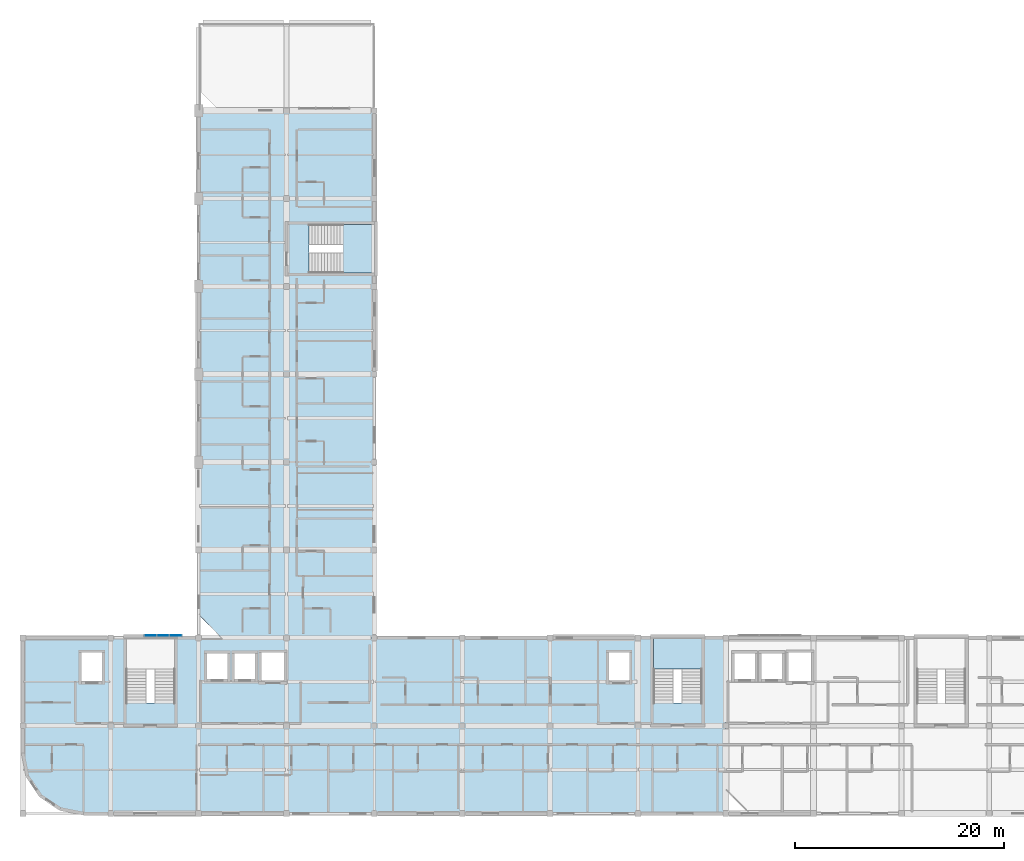
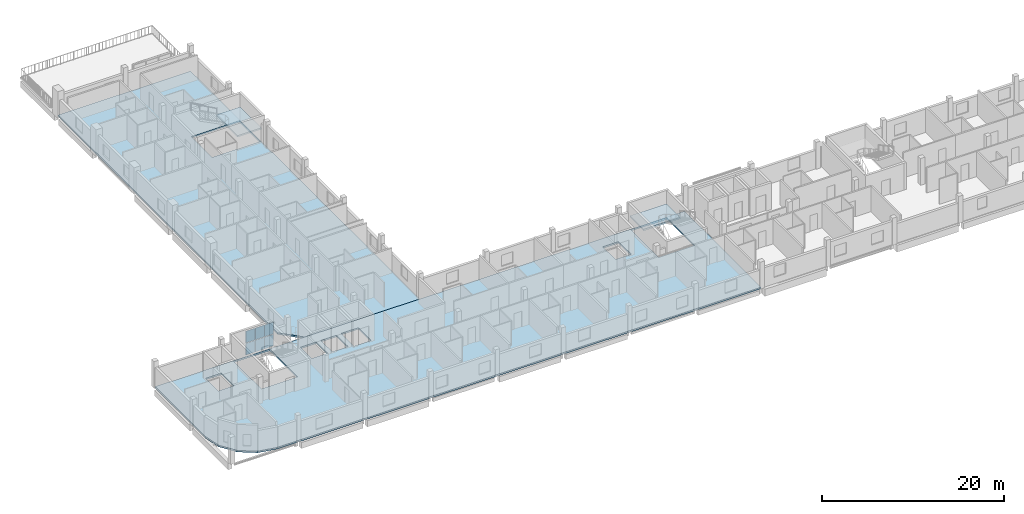
# One storey, part 9 of 26: 6 plates, 4 slabs, 3 elements without a shape of their own.
"""IFC4 building model written with IfcOpenShell, lengths in metres."""

from ifc_helpers import new_model, si_unit, derived_unit, direction, frame, origin, origin_2d, place, context, subcontext, project, spatial, polyline, rectangle, outline, extrude, material, layer, layer_set, type_object, element, aggregate, save


model = new_model("IFC4")

# Units and contexts
model_context = context("Model", 3, precision=1e-05, world=origin(), true_north=direction((0.0, 1.0)))
body_context = subcontext(model_context, "Body", "Model", "MODEL_VIEW")
ifc_project = project(units=[si_unit("LENGTHUNIT", "METRE"), si_unit("AREAUNIT", "SQUARE_METRE"), si_unit("VOLUMEUNIT", "CUBIC_METRE"), si_unit("PLANEANGLEUNIT", "RADIAN"), si_unit("MASSUNIT", "GRAM", prefix="KILO"), derived_unit("THERMALTRANSMITTANCEUNIT", [(si_unit("POWERUNIT", "WATT"), 1), (si_unit("LENGTHUNIT", "METRE"), -2), (si_unit("THERMODYNAMICTEMPERATUREUNIT", "KELVIN"), -1)])], contexts=[model_context])

# Site, building, storey
site_placement = place(None, origin())
site = spatial("IfcSite", under=ifc_project, at=site_placement, CompositionType="ELEMENT")
building_placement = place(site_placement, origin())
building = spatial("IfcBuilding", under=site, at=building_placement, Name="Barrovel Congress Hotel", CompositionType="ELEMENT")
storey_placement = place(building_placement, frame((0.0, 0.0, 32.699951171875)))
storey = spatial("IfcBuildingStorey", under=building, at=storey_placement, Name="L08", CompositionType="ELEMENT", Elevation=32.699951171875)

# Curtain wall, plates
ifc_material_1 = material(Name="Anodised Aluminium Alloy 6063-T6", Category="aluminium")
curtain_wall_type = type_object("IfcCurtainWallType", Name="CW-UN-3600x3200", PredefinedType="USERDEFINED", material=ifc_material_1)
curtain_wall_placement = place(storey_placement, origin())
curtain_wall = element("IfcCurtainWall", 1, at=curtain_wall_placement, inside=storey, type_object=curtain_wall_type, Name="CW:L08:UN-3", ObjectType="UNITISED CURTAIN WALL", PredefinedType="USERDEFINED")
ifc_material_2 = material(Name="Double Low-E Insulated Glazing", Category="glass")
ifc_layer_1 = layer(ifc_material_2, 0.031982421875)
ifc_layer_set_1 = layer_set([ifc_layer_1], Name="Double Low-E Insulated Glazing")
plate_type = type_object("IfcPlateType", Name="CWP-32", PredefinedType="CURTAIN_PANEL", material=ifc_layer_set_1)
plate_1_placement = place(storey_placement, frame((29.0, 21.219970703125, 0.030029296875), z_axis=(0.0, 0.0, 1.0), x_axis=(1.0, 0.0, 0.0)))
plate_1 = element("IfcPlate", 2, at=plate_1_placement, type_object=plate_type, Name="CW:L08:UN-3:P0-0", PredefinedType="CURTAIN_PANEL", context=body_context, shape_type="SweptSolid", body=[
    extrude(rectangle(XDim=1.139892578125, YDim=0.031982421875, at=origin_2d()), origin(), (0.0, 0.0, 1.0), 1.56494140625),
])
plate_2_placement = place(storey_placement, frame((29.0, 21.219970703125, 1.655029296875), z_axis=(0.0, 0.0, 1.0), x_axis=(1.0, 0.0, 0.0)))
plate_2 = element("IfcPlate", 3, at=plate_2_placement, type_object=plate_type, Name="CW:L08:UN-3:P0-1", PredefinedType="CURTAIN_PANEL", context=body_context, shape_type="SweptSolid", body=[
    extrude(rectangle(XDim=1.139892578125, YDim=0.031982421875, at=origin_2d()), origin(), (0.0, 0.0, 1.0), 1.56494140625),
])
plate_3_placement = place(storey_placement, frame((30.199951171875, 21.219970703125, 0.030029296875), z_axis=(0.0, 0.0, 1.0), x_axis=(1.0, 0.0, 0.0)))
plate_3 = element("IfcPlate", 4, at=plate_3_placement, type_object=plate_type, Name="CW:L08:UN-3:P1-0", PredefinedType="CURTAIN_PANEL", context=body_context, shape_type="SweptSolid", body=[
    extrude(rectangle(XDim=1.139892578125, YDim=0.031982421875, at=origin_2d()), origin(), (0.0, 0.0, 1.0), 1.56494140625),
])
plate_4_placement = place(storey_placement, frame((30.199951171875, 21.219970703125, 1.655029296875), z_axis=(0.0, 0.0, 1.0), x_axis=(1.0, 0.0, 0.0)))
plate_4 = element("IfcPlate", 5, at=plate_4_placement, type_object=plate_type, Name="CW:L08:UN-3:P1-1", PredefinedType="CURTAIN_PANEL", context=body_context, shape_type="SweptSolid", body=[
    extrude(rectangle(XDim=1.139892578125, YDim=0.031982421875, at=origin_2d()), origin(), (0.0, 0.0, 1.0), 1.56494140625),
])
plate_5_placement = place(storey_placement, frame((31.39990234375, 21.219970703125, 0.030029296875), z_axis=(0.0, 0.0, 1.0), x_axis=(1.0, 0.0, 0.0)))
plate_5 = element("IfcPlate", 6, at=plate_5_placement, type_object=plate_type, Name="CW:L08:UN-3:P2-0", PredefinedType="CURTAIN_PANEL", context=body_context, shape_type="SweptSolid", body=[
    extrude(rectangle(XDim=1.139892578125, YDim=0.031982421875, at=origin_2d()), origin(), (0.0, 0.0, 1.0), 1.56494140625),
])
plate_6_placement = place(storey_placement, frame((31.39990234375, 21.219970703125, 1.655029296875), z_axis=(0.0, 0.0, 1.0), x_axis=(1.0, 0.0, 0.0)))
plate_6 = element("IfcPlate", 7, at=plate_6_placement, type_object=plate_type, Name="CW:L08:UN-3:P2-1", PredefinedType="CURTAIN_PANEL", context=body_context, shape_type="SweptSolid", body=[
    extrude(rectangle(XDim=1.139892578125, YDim=0.031982421875, at=origin_2d()), origin(), (0.0, 0.0, 1.0), 1.56494140625),
])
aggregate(curtain_wall, [plate_1, plate_2, plate_3, plate_4, plate_5, plate_6])

# Slabs
ifc_material_3 = material(Name="Concrete C35", Category="concrete")
ifc_layer_2 = layer(ifc_material_3, 0.219970703125)
ifc_layer_set_2 = layer_set([ifc_layer_2], Name="Concrete C35")
slab_type_1 = type_object("IfcSlabType", Name="SL-F220", PredefinedType="FLOOR", material=ifc_layer_set_2)
slab_1_placement = place(storey_placement, frame((0.0, 0.0, -0.219970703125)))
element("IfcSlab", 8, at=slab_1_placement, inside=storey, type_object=slab_type_1, Name="SLAB:L08:HOT-S1", PredefinedType="FLOOR", context=body_context, shape_type="SweptSolid", body=[
    extrude(outline(polyline([(16.800048828125, 10.0), (17.241455078125, 7.780517578125), (18.498779296875, 5.898681640625), (20.38037109375, 4.6416015625), (22.60009765625, 4.199951171875), (84.0, 4.199951171875), (84.0, 21.0), (16.800048828125, 21.0), (16.800048828125, 10.0)]), holes=[polyline([(26.699951171875, 14.780029296875), (26.699951171875, 20.919921875), (31.300048828125, 20.919921875), (31.300048828125, 14.780029296875), (26.699951171875, 14.780029296875)]), polyline([(77.10009765625, 14.780029296875), (77.10009765625, 20.919921875), (81.699951171875, 20.919921875), (81.699951171875, 14.780029296875), (77.10009765625, 14.780029296875)]), polyline([(22.39990234375, 16.800048828125), (22.39990234375, 19.60009765625), (24.39990234375, 19.60009765625), (24.39990234375, 16.800048828125), (22.39990234375, 16.800048828125)]), polyline([(72.800048828125, 16.800048828125), (72.800048828125, 19.60009765625), (74.800048828125, 19.60009765625), (74.800048828125, 16.800048828125), (72.800048828125, 16.800048828125)]), polyline([(34.39990234375, 17.050048828125), (34.39990234375, 19.550048828125), (36.39990234375, 19.550048828125), (36.39990234375, 17.050048828125), (34.39990234375, 17.050048828125)]), polyline([(37.0, 17.050048828125), (37.0, 19.550048828125), (39.0, 19.550048828125), (39.0, 17.050048828125), (37.0, 17.050048828125)]), polyline([(39.60009765625, 16.800048828125), (39.60009765625, 19.60009765625), (41.800048828125, 19.60009765625), (41.800048828125, 16.800048828125), (39.60009765625, 16.800048828125)])]), origin(), (0.0, 0.0, 1.0), 0.219970703125),
])
slab_2_placement = place(storey_placement, frame((0.0, 0.0, -0.219970703125)))
element("IfcSlab", 9, at=slab_2_placement, inside=storey, type_object=slab_type_1, Name="SLAB:L08:HOT-W1", PredefinedType="FLOOR", context=body_context, shape_type="SweptSolid", body=[
    extrude(outline(polyline([(35.800048828125, 21.0), (50.39990234375, 21.0), (50.39990234375, 71.39990234375), (33.60009765625, 71.39990234375), (33.60009765625, 23.199951171875), (35.800048828125, 21.0)]), holes=[polyline([(44.179931640625, 55.89990234375), (44.179931640625, 60.5), (50.320068359375, 60.5), (50.320068359375, 55.89990234375), (44.179931640625, 55.89990234375)])]), origin(), (0.0, 0.0, 1.0), 0.219970703125),
])

# Stair, slab
ifc_material_4 = material(Name="Concrete C40", Category="concrete")
stair_type_1 = type_object("IfcStairType", Name="STR-HT-360", PredefinedType="HALF_TURN_STAIR", material=ifc_material_4)
stair_1_placement = place(storey_placement, origin())
stair_1 = element("IfcStair", 10, at=stair_1_placement, inside=storey, type_object=stair_type_1, Name="Exit Stair XS-02 (L08)", PredefinedType="HALF_TURN_STAIR")
ifc_layer_3 = layer(ifc_material_4, 0.2099609375)
ifc_layer_set_3 = layer_set([ifc_layer_3], Name="Concrete C40")
slab_type_2 = type_object("IfcSlabType", Name="SL-LDG-210", PredefinedType="LANDING", material=ifc_layer_set_3)
slab_3_placement = place(storey_placement, frame((0.0, 0.0, 1.590087890625)))
slab_3 = element("IfcSlab", 11, at=slab_3_placement, type_object=slab_type_2, Name="STAIR:XS-02:L08:LDG", PredefinedType="LANDING", context=body_context, shape_type="SweptSolid", body=[
    extrude(outline(polyline([(77.080078125, 18.010009765625), (81.719970703125, 18.010009765625), (81.719970703125, 21.02001953125), (77.080078125, 21.02001953125), (77.080078125, 18.010009765625)])), origin(), (0.0, 0.0, 1.0), 0.2099609375),
])
aggregate(stair_1, [slab_3])

stair_type_2 = type_object("IfcStairType", Name="STR-DR-360", PredefinedType="DOUBLE_RETURN_STAIR", material=ifc_material_4)
stair_2_placement = place(storey_placement, origin())
stair_2 = element("IfcStair", 12, at=stair_2_placement, inside=storey, type_object=stair_type_2, Name="Exit Stair XS-05 (L08)", PredefinedType="DOUBLE_RETURN_STAIR")
slab_4_placement = place(storey_placement, frame((0.0, 0.0, 1.590087890625)))
slab_4 = element("IfcSlab", 13, at=slab_4_placement, type_object=slab_type_2, Name="STAIR:XS-05:L08:LDG", PredefinedType="LANDING", context=body_context, shape_type="SweptSolid", body=[
    extrude(outline(polyline([(47.409912109375, 55.8798828125), (50.419921875, 55.8798828125), (50.419921875, 60.52001953125), (47.409912109375, 60.52001953125), (47.409912109375, 55.8798828125)])), origin(), (0.0, 0.0, 1.0), 0.2099609375),
])
aggregate(stair_2, [slab_4])

save(model, "model.ifc")
